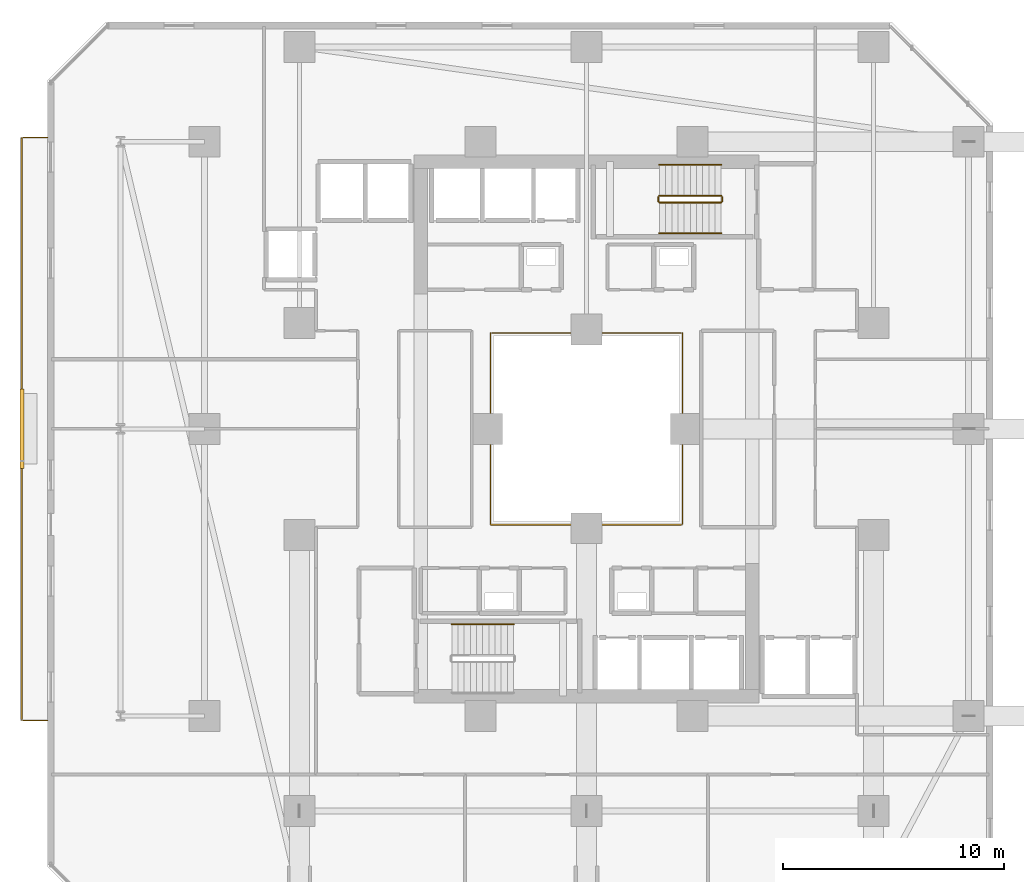
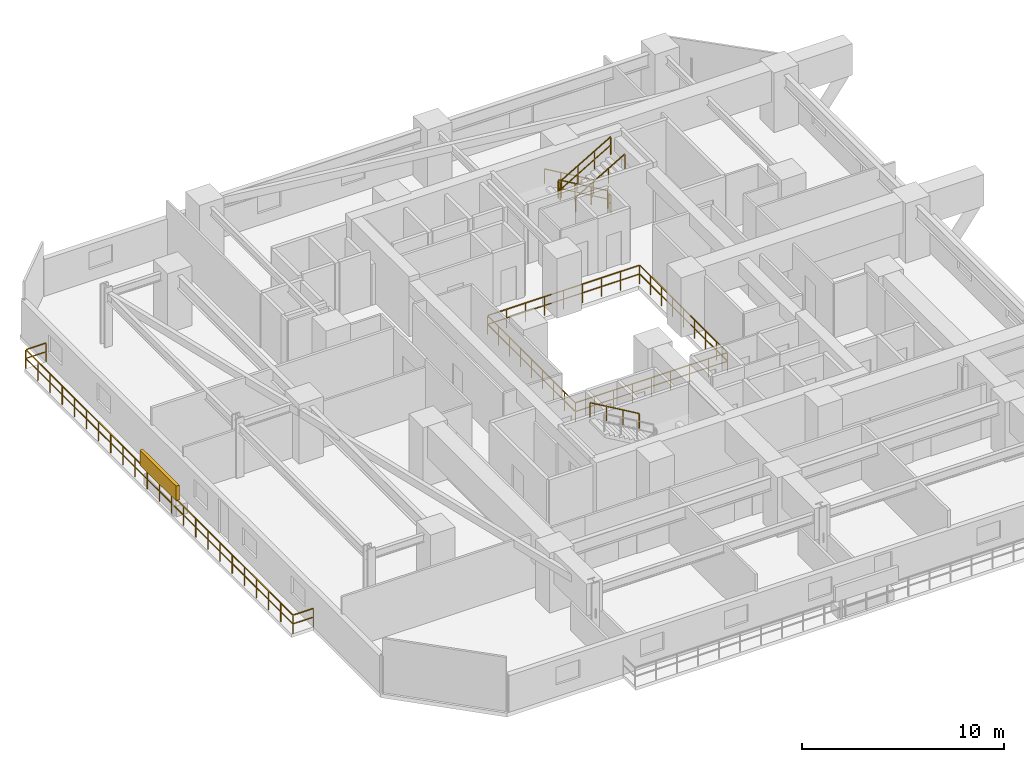
# One storey, part 33 of 36: 9 railings, 1 shading device.
"""IFC4 building model written with IfcOpenShell, lengths in metres."""

from ifc_helpers import new_model, si_unit, direction, frame, origin, origin_2d, place, context, subcontext, project, spatial, rectangle, extrude, material, type_object, element, save


model = new_model("IFC4")

# Units and contexts
model_context = context("Model", 3, precision=1e-05, world=origin(), true_north=direction((0.0, 1.0)))
body_context = subcontext(model_context, "Body", "Model", "MODEL_VIEW")
ifc_project = project(units=[si_unit("LENGTHUNIT", "METRE"), si_unit("AREAUNIT", "SQUARE_METRE"), si_unit("VOLUMEUNIT", "CUBIC_METRE"), si_unit("PLANEANGLEUNIT", "RADIAN"), si_unit("MASSUNIT", "GRAM", prefix="KILO")], contexts=[model_context])

# Site, building, storey
site_placement = place(None, origin())
site = spatial("IfcSite", under=ifc_project, at=site_placement, CompositionType="ELEMENT")
building_placement = place(site_placement, origin())
building = spatial("IfcBuilding", under=site, at=building_placement, Name="Thornwick Lancets Civic Towers", CompositionType="ELEMENT")
storey_placement = place(building_placement, frame((0.0, 0.0, 45.89990234375)))
storey = spatial("IfcBuildingStorey", under=building, at=storey_placement, Name="L11", CompositionType="ELEMENT", Elevation=45.89990234375)

# Railings
ifc_material_1 = material(Name="Laminated glass and bronze steel S355", Category="steel")
railing_type_1 = type_object("IfcRailingType", Name="RAIL_ATRIUM_GUARD", PredefinedType="BALUSTRADE", material=ifc_material_1)
railing_1_placement = place(storey_placement, frame((21.159912109375, 22.659912109375, 0.0)))
element("IfcRailing", 1, at=railing_1_placement, inside=storey, type_object=railing_type_1, Name="L11 Tower A Central Atrium Guard Balustrade", PredefinedType="BALUSTRADE", context=body_context, shape_type="SweptSolid", body=[
    extrude(rectangle(XDim=0.048095703125, YDim=0.048095703125, at=origin_2d()), frame((0.0, 0.0, 1.1259765625), z_axis=(1.0, 0.0, 0.0), x_axis=(0.0, 1.0, 0.0)), (0.0, 0.0, 1.0), 8.64892578125),
    extrude(rectangle(XDim=0.0419921875, YDim=0.0419921875, at=origin_2d()), frame((0.03759765625, 0.0, 0.597900390625), z_axis=(1.0, 0.0, 0.0), x_axis=(0.0, 1.0, 0.0)), (0.0, 0.0, 1.0), 1.010009765625),
    extrude(rectangle(XDim=0.0419921875, YDim=0.0419921875, at=origin_2d()), frame((1.12255859375, 0.0, 0.597900390625), z_axis=(1.0, 0.0, 0.0), x_axis=(0.0, 1.0, 0.0)), (0.0, 0.0, 1.0), 1.010009765625),
    extrude(rectangle(XDim=0.0419921875, YDim=0.0419921875, at=origin_2d()), frame((2.20751953125, 0.0, 0.597900390625), z_axis=(1.0, 0.0, 0.0), x_axis=(0.0, 1.0, 0.0)), (0.0, 0.0, 1.0), 1.010009765625),
    extrude(rectangle(XDim=0.0419921875, YDim=0.0419921875, at=origin_2d()), frame((3.29248046875, 0.0, 0.597900390625), z_axis=(1.0, 0.0, 0.0), x_axis=(0.0, 1.0, 0.0)), (0.0, 0.0, 1.0), 1.010009765625),
    extrude(rectangle(XDim=0.0419921875, YDim=0.0419921875, at=origin_2d()), frame((4.377685546875, 0.0, 0.597900390625), z_axis=(1.0, 0.0, 0.0), x_axis=(0.0, 1.0, 0.0)), (0.0, 0.0, 1.0), 1.010009765625),
    extrude(rectangle(XDim=0.0419921875, YDim=0.0419921875, at=origin_2d()), frame((5.462646484375, 0.0, 0.597900390625), z_axis=(1.0, 0.0, 0.0), x_axis=(0.0, 1.0, 0.0)), (0.0, 0.0, 1.0), 1.010009765625),
    extrude(rectangle(XDim=0.0419921875, YDim=0.0419921875, at=origin_2d()), frame((6.547607421875, 0.0, 0.597900390625), z_axis=(1.0, 0.0, 0.0), x_axis=(0.0, 1.0, 0.0)), (0.0, 0.0, 1.0), 1.010009765625),
    extrude(rectangle(XDim=0.0419921875, YDim=0.0419921875, at=origin_2d()), frame((7.632568359375, 0.0, 0.597900390625), z_axis=(1.0, 0.0, 0.0), x_axis=(0.0, 1.0, 0.0)), (0.0, 0.0, 1.0), 1.010009765625),
    extrude(rectangle(XDim=0.048095703125, YDim=0.048095703125, at=origin_2d()), frame((8.68017578125, 0.03125, 1.1259765625), z_axis=(0.0, 1.0, 0.0), x_axis=(-1.0, 0.0, 0.0)), (0.0, 0.0, 1.0), 8.61767578125),
    extrude(rectangle(XDim=0.0419921875, YDim=0.0419921875, at=origin_2d()), frame((8.68017578125, 0.03759765625, 0.597900390625), z_axis=(0.0, 1.0, 0.0), x_axis=(-1.0, 0.0, 0.0)), (0.0, 0.0, 1.0), 1.010009765625),
    extrude(rectangle(XDim=0.0419921875, YDim=0.0419921875, at=origin_2d()), frame((8.68017578125, 1.12255859375, 0.597900390625), z_axis=(0.0, 1.0, 0.0), x_axis=(-1.0, 0.0, 0.0)), (0.0, 0.0, 1.0), 1.010009765625),
    extrude(rectangle(XDim=0.0419921875, YDim=0.0419921875, at=origin_2d()), frame((8.68017578125, 2.20751953125, 0.597900390625), z_axis=(0.0, 1.0, 0.0), x_axis=(-1.0, 0.0, 0.0)), (0.0, 0.0, 1.0), 1.010009765625),
    extrude(rectangle(XDim=0.0419921875, YDim=0.0419921875, at=origin_2d()), frame((8.68017578125, 3.29248046875, 0.597900390625), z_axis=(0.0, 1.0, 0.0), x_axis=(-1.0, 0.0, 0.0)), (0.0, 0.0, 1.0), 1.010009765625),
    extrude(rectangle(XDim=0.0419921875, YDim=0.0419921875, at=origin_2d()), frame((8.68017578125, 4.377685546875, 0.597900390625), z_axis=(0.0, 1.0, 0.0), x_axis=(-1.0, 0.0, 0.0)), (0.0, 0.0, 1.0), 1.010009765625),
    extrude(rectangle(XDim=0.0419921875, YDim=0.0419921875, at=origin_2d()), frame((8.68017578125, 5.462646484375, 0.597900390625), z_axis=(0.0, 1.0, 0.0), x_axis=(-1.0, 0.0, 0.0)), (0.0, 0.0, 1.0), 1.010009765625),
    extrude(rectangle(XDim=0.0419921875, YDim=0.0419921875, at=origin_2d()), frame((8.68017578125, 6.547607421875, 0.597900390625), z_axis=(0.0, 1.0, 0.0), x_axis=(-1.0, 0.0, 0.0)), (0.0, 0.0, 1.0), 1.010009765625),
    extrude(rectangle(XDim=0.0419921875, YDim=0.0419921875, at=origin_2d()), frame((8.68017578125, 7.632568359375, 0.597900390625), z_axis=(0.0, 1.0, 0.0), x_axis=(-1.0, 0.0, 0.0)), (0.0, 0.0, 1.0), 1.010009765625),
    extrude(rectangle(XDim=0.048095703125, YDim=0.048095703125, at=origin_2d()), frame((8.64892578125, 8.68017578125, 1.1259765625), z_axis=(-1.0, 0.0, 0.0), x_axis=(0.0, -1.0, 0.0)), (0.0, 0.0, 1.0), 8.61767578125),
    extrude(rectangle(XDim=0.0419921875, YDim=0.0419921875, at=origin_2d()), frame((8.642578125, 8.68017578125, 0.597900390625), z_axis=(-1.0, 0.0, 0.0), x_axis=(0.0, -1.0, 0.0)), (0.0, 0.0, 1.0), 1.010009765625),
    extrude(rectangle(XDim=0.0419921875, YDim=0.0419921875, at=origin_2d()), frame((7.5576171875, 8.68017578125, 0.597900390625), z_axis=(-1.0, 0.0, 0.0), x_axis=(0.0, -1.0, 0.0)), (0.0, 0.0, 1.0), 1.010009765625),
    extrude(rectangle(XDim=0.0419921875, YDim=0.0419921875, at=origin_2d()), frame((6.47265625, 8.68017578125, 0.597900390625), z_axis=(-1.0, 0.0, 0.0), x_axis=(0.0, -1.0, 0.0)), (0.0, 0.0, 1.0), 1.010009765625),
    extrude(rectangle(XDim=0.0419921875, YDim=0.0419921875, at=origin_2d()), frame((5.3876953125, 8.68017578125, 0.597900390625), z_axis=(-1.0, 0.0, 0.0), x_axis=(0.0, -1.0, 0.0)), (0.0, 0.0, 1.0), 1.010009765625),
    extrude(rectangle(XDim=0.0419921875, YDim=0.0419921875, at=origin_2d()), frame((4.302490234375, 8.68017578125, 0.597900390625), z_axis=(-1.0, 0.0, 0.0), x_axis=(0.0, -1.0, 0.0)), (0.0, 0.0, 1.0), 1.010009765625),
    extrude(rectangle(XDim=0.0419921875, YDim=0.0419921875, at=origin_2d()), frame((3.217529296875, 8.68017578125, 0.597900390625), z_axis=(-1.0, 0.0, 0.0), x_axis=(0.0, -1.0, 0.0)), (0.0, 0.0, 1.0), 1.010009765625),
    extrude(rectangle(XDim=0.0419921875, YDim=0.0419921875, at=origin_2d()), frame((2.132568359375, 8.68017578125, 0.597900390625), z_axis=(-1.0, 0.0, 0.0), x_axis=(0.0, -1.0, 0.0)), (0.0, 0.0, 1.0), 1.010009765625),
    extrude(rectangle(XDim=0.0419921875, YDim=0.0419921875, at=origin_2d()), frame((1.047607421875, 8.68017578125, 0.597900390625), z_axis=(-1.0, 0.0, 0.0), x_axis=(0.0, -1.0, 0.0)), (0.0, 0.0, 1.0), 1.010009765625),
    extrude(rectangle(XDim=0.048095703125, YDim=0.048095703125, at=origin_2d()), frame((0.0, 8.64892578125, 1.1259765625), z_axis=(0.0, -1.0, 0.0), x_axis=(1.0, 0.0, 0.0)), (0.0, 0.0, 1.0), 8.64892578125),
    extrude(rectangle(XDim=0.0419921875, YDim=0.0419921875, at=origin_2d()), frame((0.0, 8.642578125, 0.597900390625), z_axis=(0.0, -1.0, 0.0), x_axis=(1.0, 0.0, 0.0)), (0.0, 0.0, 1.0), 1.010009765625),
    extrude(rectangle(XDim=0.0419921875, YDim=0.0419921875, at=origin_2d()), frame((0.0, 7.5576171875, 0.597900390625), z_axis=(0.0, -1.0, 0.0), x_axis=(1.0, 0.0, 0.0)), (0.0, 0.0, 1.0), 1.010009765625),
    extrude(rectangle(XDim=0.0419921875, YDim=0.0419921875, at=origin_2d()), frame((0.0, 6.47265625, 0.597900390625), z_axis=(0.0, -1.0, 0.0), x_axis=(1.0, 0.0, 0.0)), (0.0, 0.0, 1.0), 1.010009765625),
    extrude(rectangle(XDim=0.0419921875, YDim=0.0419921875, at=origin_2d()), frame((0.0, 5.3876953125, 0.597900390625), z_axis=(0.0, -1.0, 0.0), x_axis=(1.0, 0.0, 0.0)), (0.0, 0.0, 1.0), 1.010009765625),
    extrude(rectangle(XDim=0.0419921875, YDim=0.0419921875, at=origin_2d()), frame((0.0, 4.302490234375, 0.597900390625), z_axis=(0.0, -1.0, 0.0), x_axis=(1.0, 0.0, 0.0)), (0.0, 0.0, 1.0), 1.010009765625),
    extrude(rectangle(XDim=0.0419921875, YDim=0.0419921875, at=origin_2d()), frame((0.0, 3.217529296875, 0.597900390625), z_axis=(0.0, -1.0, 0.0), x_axis=(1.0, 0.0, 0.0)), (0.0, 0.0, 1.0), 1.010009765625),
    extrude(rectangle(XDim=0.0419921875, YDim=0.0419921875, at=origin_2d()), frame((0.0, 2.132568359375, 0.597900390625), z_axis=(0.0, -1.0, 0.0), x_axis=(1.0, 0.0, 0.0)), (0.0, 0.0, 1.0), 1.010009765625),
    extrude(rectangle(XDim=0.0419921875, YDim=0.0419921875, at=origin_2d()), frame((0.0, 1.047607421875, 0.597900390625), z_axis=(0.0, -1.0, 0.0), x_axis=(1.0, 0.0, 0.0)), (0.0, 0.0, 1.0), 1.010009765625),
    extrude(rectangle(XDim=0.0419921875, YDim=0.0419921875, at=origin_2d()), origin(), (0.0, 0.0, 1.0), 1.095703125),
    extrude(rectangle(XDim=0.0419921875, YDim=0.0419921875, at=origin_2d()), frame((1.0849609375, 0.0, 0.0)), (0.0, 0.0, 1.0), 1.095703125),
    extrude(rectangle(XDim=0.0419921875, YDim=0.0419921875, at=origin_2d()), frame((2.169921875, 0.0, 0.0)), (0.0, 0.0, 1.0), 1.095703125),
    extrude(rectangle(XDim=0.0419921875, YDim=0.0419921875, at=origin_2d()), frame((3.255126953125, 0.0, 0.0)), (0.0, 0.0, 1.0), 1.095703125),
    extrude(rectangle(XDim=0.0419921875, YDim=0.0419921875, at=origin_2d()), frame((4.340087890625, 0.0, 0.0)), (0.0, 0.0, 1.0), 1.095703125),
    extrude(rectangle(XDim=0.0419921875, YDim=0.0419921875, at=origin_2d()), frame((5.425048828125, 0.0, 0.0)), (0.0, 0.0, 1.0), 1.095703125),
    extrude(rectangle(XDim=0.0419921875, YDim=0.0419921875, at=origin_2d()), frame((6.51025390625, 0.0, 0.0)), (0.0, 0.0, 1.0), 1.095703125),
    extrude(rectangle(XDim=0.0419921875, YDim=0.0419921875, at=origin_2d()), frame((7.59521484375, 0.0, 0.0)), (0.0, 0.0, 1.0), 1.095703125),
    extrude(rectangle(XDim=0.0419921875, YDim=0.0419921875, at=origin_2d()), frame((8.68017578125, 0.0, 0.0)), (0.0, 0.0, 1.0), 1.095703125),
    extrude(rectangle(XDim=0.0419921875, YDim=0.0419921875, at=origin_2d()), frame((8.68017578125, 1.0849609375, 0.0)), (0.0, 0.0, 1.0), 1.095703125),
    extrude(rectangle(XDim=0.0419921875, YDim=0.0419921875, at=origin_2d()), frame((8.68017578125, 2.169921875, 0.0)), (0.0, 0.0, 1.0), 1.095703125),
    extrude(rectangle(XDim=0.0419921875, YDim=0.0419921875, at=origin_2d()), frame((8.68017578125, 3.255126953125, 0.0)), (0.0, 0.0, 1.0), 1.095703125),
    extrude(rectangle(XDim=0.0419921875, YDim=0.0419921875, at=origin_2d()), frame((8.68017578125, 4.340087890625, 0.0)), (0.0, 0.0, 1.0), 1.095703125),
    extrude(rectangle(XDim=0.0419921875, YDim=0.0419921875, at=origin_2d()), frame((8.68017578125, 5.425048828125, 0.0)), (0.0, 0.0, 1.0), 1.095703125),
    extrude(rectangle(XDim=0.0419921875, YDim=0.0419921875, at=origin_2d()), frame((8.68017578125, 6.51025390625, 0.0)), (0.0, 0.0, 1.0), 1.095703125),
    extrude(rectangle(XDim=0.0419921875, YDim=0.0419921875, at=origin_2d()), frame((8.68017578125, 7.59521484375, 0.0)), (0.0, 0.0, 1.0), 1.095703125),
    extrude(rectangle(XDim=0.0419921875, YDim=0.0419921875, at=origin_2d()), frame((8.68017578125, 8.68017578125, 0.0)), (0.0, 0.0, 1.0), 1.095703125),
    extrude(rectangle(XDim=0.0419921875, YDim=0.0419921875, at=origin_2d()), frame((7.59521484375, 8.68017578125, 0.0)), (0.0, 0.0, 1.0), 1.095703125),
    extrude(rectangle(XDim=0.0419921875, YDim=0.0419921875, at=origin_2d()), frame((6.51025390625, 8.68017578125, 0.0)), (0.0, 0.0, 1.0), 1.095703125),
    extrude(rectangle(XDim=0.0419921875, YDim=0.0419921875, at=origin_2d()), frame((5.425048828125, 8.68017578125, 0.0)), (0.0, 0.0, 1.0), 1.095703125),
    extrude(rectangle(XDim=0.0419921875, YDim=0.0419921875, at=origin_2d()), frame((4.340087890625, 8.68017578125, 0.0)), (0.0, 0.0, 1.0), 1.095703125),
    extrude(rectangle(XDim=0.0419921875, YDim=0.0419921875, at=origin_2d()), frame((3.255126953125, 8.68017578125, 0.0)), (0.0, 0.0, 1.0), 1.095703125),
    extrude(rectangle(XDim=0.0419921875, YDim=0.0419921875, at=origin_2d()), frame((2.169921875, 8.68017578125, 0.0)), (0.0, 0.0, 1.0), 1.095703125),
    extrude(rectangle(XDim=0.0419921875, YDim=0.0419921875, at=origin_2d()), frame((1.0849609375, 8.68017578125, 0.0)), (0.0, 0.0, 1.0), 1.095703125),
    extrude(rectangle(XDim=0.0419921875, YDim=0.0419921875, at=origin_2d()), frame((0.0, 8.68017578125, 0.0)), (0.0, 0.0, 1.0), 1.095703125),
    extrude(rectangle(XDim=0.0419921875, YDim=0.0419921875, at=origin_2d()), frame((0.0, 7.59521484375, 0.0)), (0.0, 0.0, 1.0), 1.095703125),
    extrude(rectangle(XDim=0.0419921875, YDim=0.0419921875, at=origin_2d()), frame((0.0, 6.51025390625, 0.0)), (0.0, 0.0, 1.0), 1.095703125),
    extrude(rectangle(XDim=0.0419921875, YDim=0.0419921875, at=origin_2d()), frame((0.0, 5.425048828125, 0.0)), (0.0, 0.0, 1.0), 1.095703125),
    extrude(rectangle(XDim=0.0419921875, YDim=0.0419921875, at=origin_2d()), frame((0.0, 4.340087890625, 0.0)), (0.0, 0.0, 1.0), 1.095703125),
    extrude(rectangle(XDim=0.0419921875, YDim=0.0419921875, at=origin_2d()), frame((0.0, 3.255126953125, 0.0)), (0.0, 0.0, 1.0), 1.095703125),
    extrude(rectangle(XDim=0.0419921875, YDim=0.0419921875, at=origin_2d()), frame((0.0, 2.169921875, 0.0)), (0.0, 0.0, 1.0), 1.095703125),
    extrude(rectangle(XDim=0.0419921875, YDim=0.0419921875, at=origin_2d()), frame((0.0, 1.0849609375, 0.0)), (0.0, 0.0, 1.0), 1.095703125),
])
ifc_material_2 = material(Name="Brushed stainless steel S355", Category="steel")
railing_type_2 = type_object("IfcRailingType", Name="RAIL_HANDRAIL", PredefinedType="HANDRAIL", material=ifc_material_2)
railing_2_placement = place(storey_placement, frame((22.199951171875, 18.14990234375, 1.963623046875)))
element("IfcRailing", 2, at=railing_2_placement, inside=storey, type_object=railing_type_2, Name="L11 ST-A1 stair handrail 2", PredefinedType="HANDRAIL", context=body_context, shape_type="SweptSolid", body=[
    extrude(rectangle(XDim=0.048095703125, YDim=0.048095703125, at=origin_2d()), frame((0.0, 0.0, 0.8857421875), z_axis=(-0.863360870873, 0.0, 0.504586966384), x_axis=(0.0, -1.0, 0.0)), (0.0, 0.0, 1.0), 3.2431640625),
    extrude(rectangle(XDim=0.0419921875, YDim=0.0419921875, at=origin_2d()), origin(), (0.0, 0.0, 1.0), 0.855712890625),
    extrude(rectangle(XDim=0.0419921875, YDim=0.0419921875, at=origin_2d()), frame((-0.933349609375, 0.0, 0.54541015625)), (0.0, 0.0, 1.0), 0.855712890625),
    extrude(rectangle(XDim=0.0419921875, YDim=0.0419921875, at=origin_2d()), frame((-1.86669921875, 0.0, 1.091064453125)), (0.0, 0.0, 1.0), 0.855712890625),
    extrude(rectangle(XDim=0.0419921875, YDim=0.0419921875, at=origin_2d()), frame((-2.800048828125, 0.0, 1.636474609375)), (0.0, 0.0, 1.0), 0.855712890625),
])
railing_3_placement = place(storey_placement, frame((31.60009765625, 38.949951171875, 0.163818359375)))
element("IfcRailing", 3, at=railing_3_placement, inside=storey, type_object=railing_type_2, Name="L11 ST-A2 stair handrail 1", PredefinedType="HANDRAIL", context=body_context, shape_type="SweptSolid", body=[
    extrude(rectangle(XDim=0.048095703125, YDim=0.048095703125, at=origin_2d()), frame((0.0, 0.0, 0.8857421875), z_axis=(-0.863393664356, 0.0, 0.504530851732), x_axis=(0.0, -1.0, 0.0)), (0.0, 0.0, 1.0), 3.2431640625),
    extrude(rectangle(XDim=0.0419921875, YDim=0.0419921875, at=origin_2d()), origin(), (0.0, 0.0, 1.0), 0.855712890625),
    extrude(rectangle(XDim=0.0419921875, YDim=0.0419921875, at=origin_2d()), frame((-0.933349609375, 0.0, 0.54541015625)), (0.0, 0.0, 1.0), 0.855712890625),
    extrude(rectangle(XDim=0.0419921875, YDim=0.0419921875, at=origin_2d()), frame((-1.86669921875, 0.0, 1.0908203125)), (0.0, 0.0, 1.0), 0.855712890625),
    extrude(rectangle(XDim=0.0419921875, YDim=0.0419921875, at=origin_2d()), frame((-2.800048828125, 0.0, 1.63623046875)), (0.0, 0.0, 1.0), 0.855712890625),
])
railing_4_placement = place(storey_placement, frame((28.800048828125, 35.85009765625, 1.963623046875)))
element("IfcRailing", 4, at=railing_4_placement, inside=storey, type_object=railing_type_2, Name="L11 ST-A2 stair handrail 2", PredefinedType="HANDRAIL", context=body_context, shape_type="SweptSolid", body=[
    extrude(rectangle(XDim=0.048095703125, YDim=0.048095703125, at=origin_2d()), frame((0.0, 0.0, 0.8857421875), z_axis=(0.863360870873, 0.0, 0.504586966384), x_axis=(0.0, 1.0, 0.0)), (0.0, 0.0, 1.0), 3.2431640625),
    extrude(rectangle(XDim=0.0419921875, YDim=0.0419921875, at=origin_2d()), origin(), (0.0, 0.0, 1.0), 0.855712890625),
    extrude(rectangle(XDim=0.0419921875, YDim=0.0419921875, at=origin_2d()), frame((0.933349609375, 0.0, 0.54541015625)), (0.0, 0.0, 1.0), 0.855712890625),
    extrude(rectangle(XDim=0.0419921875, YDim=0.0419921875, at=origin_2d()), frame((1.86669921875, 0.0, 1.091064453125)), (0.0, 0.0, 1.0), 0.855712890625),
    extrude(rectangle(XDim=0.0419921875, YDim=0.0419921875, at=origin_2d()), frame((2.800048828125, 0.0, 1.636474609375)), (0.0, 0.0, 1.0), 0.855712890625),
])
ifc_material_3 = material(Name="Steel S355JR", Category="steel")
railing_type_3 = type_object("IfcRailingType", Name="RAIL_STAIR_GUARD", PredefinedType="GUARDRAIL", material=ifc_material_3)
railing_5_placement = place(storey_placement, frame((31.60009765625, 37.550048828125, 0.163818359375)))
element("IfcRailing", 5, at=railing_5_placement, inside=storey, type_object=railing_type_3, Name="L11 ST-A2 stair guard 1", PredefinedType="GUARDRAIL", context=body_context, shape_type="SweptSolid", body=[
    extrude(rectangle(XDim=0.048095703125, YDim=0.048095703125, at=origin_2d()), frame((0.0, 0.0, 1.076171875), z_axis=(-0.863393664356, 0.0, 0.504530851732), x_axis=(0.0, -1.0, 0.0)), (0.0, 0.0, 1.0), 3.2431640625),
    extrude(rectangle(XDim=0.0419921875, YDim=0.0419921875, at=origin_2d()), frame((-0.032470703125, 0.0, 0.591064453125), z_axis=(-0.863393664356, 0.0, 0.504530851732), x_axis=(0.0, -1.0, 0.0)), (0.0, 0.0, 1.0), 1.006103515625),
    extrude(rectangle(XDim=0.0419921875, YDim=0.0419921875, at=origin_2d()), frame((-0.9658203125, 0.0, 1.136474609375), z_axis=(-0.863393664356, 0.0, 0.504530851732), x_axis=(0.0, -1.0, 0.0)), (0.0, 0.0, 1.0), 1.006103515625),
    extrude(rectangle(XDim=0.0419921875, YDim=0.0419921875, at=origin_2d()), frame((-1.899169921875, 0.0, 1.681884765625), z_axis=(-0.863393664356, 0.0, 0.504530851732), x_axis=(0.0, -1.0, 0.0)), (0.0, 0.0, 1.0), 1.006103515625),
    extrude(rectangle(XDim=0.0419921875, YDim=0.0419921875, at=origin_2d()), origin(), (0.0, 0.0, 1.0), 1.0458984375),
    extrude(rectangle(XDim=0.0419921875, YDim=0.0419921875, at=origin_2d()), frame((-0.933349609375, 0.0, 0.54541015625)), (0.0, 0.0, 1.0), 1.0458984375),
    extrude(rectangle(XDim=0.0419921875, YDim=0.0419921875, at=origin_2d()), frame((-1.86669921875, 0.0, 1.0908203125)), (0.0, 0.0, 1.0), 1.0458984375),
    extrude(rectangle(XDim=0.0419921875, YDim=0.0419921875, at=origin_2d()), frame((-2.800048828125, 0.0, 1.63623046875)), (0.0, 0.0, 1.0), 1.0458984375),
])
railing_6_placement = place(storey_placement, frame((28.75, 37.5, 1.800048828125)))
element("IfcRailing", 6, at=railing_6_placement, inside=storey, type_object=railing_type_3, Name="L11 ST-A2 stair guard 2", PredefinedType="GUARDRAIL", context=body_context, shape_type="SweptSolid", body=[
    extrude(rectangle(XDim=0.048095703125, YDim=0.048095703125, at=origin_2d()), frame((0.0, 0.0, 1.076171875), z_axis=(0.0, -1.0, 0.0), x_axis=(1.0, 0.0, 0.0)), (0.0, 0.0, 1.0), 0.199951171875),
    extrude(rectangle(XDim=0.0419921875, YDim=0.0419921875, at=origin_2d()), frame((0.0, -0.03759765625, 0.572021484375), z_axis=(0.0, -1.0, 0.0), x_axis=(1.0, 0.0, 0.0)), (0.0, 0.0, 1.0), 0.125),
    extrude(rectangle(XDim=0.0419921875, YDim=0.0419921875, at=origin_2d()), origin(), (0.0, 0.0, 1.0), 1.0458984375),
    extrude(rectangle(XDim=0.0419921875, YDim=0.0419921875, at=origin_2d()), frame((0.0, -0.199951171875, 0.0)), (0.0, 0.0, 1.0), 1.0458984375),
])
railing_7_placement = place(storey_placement, frame((28.800048828125, 37.25, 1.963623046875)))
element("IfcRailing", 7, at=railing_7_placement, inside=storey, type_object=railing_type_3, Name="L11 ST-A2 stair guard 3", PredefinedType="GUARDRAIL", context=body_context, shape_type="SweptSolid", body=[
    extrude(rectangle(XDim=0.048095703125, YDim=0.048095703125, at=origin_2d()), frame((0.0, 0.0, 1.076171875), z_axis=(0.863360870873, 0.0, 0.504586966384), x_axis=(0.0, 1.0, 0.0)), (0.0, 0.0, 1.0), 3.2431640625),
    extrude(rectangle(XDim=0.0419921875, YDim=0.0419921875, at=origin_2d()), frame((0.032470703125, 0.0, 0.591064453125), z_axis=(0.863360870873, 0.0, 0.504586966384), x_axis=(0.0, 1.0, 0.0)), (0.0, 0.0, 1.0), 1.006103515625),
    extrude(rectangle(XDim=0.0419921875, YDim=0.0419921875, at=origin_2d()), frame((0.9658203125, 0.0, 1.136474609375), z_axis=(0.863360870873, 0.0, 0.504586966384), x_axis=(0.0, 1.0, 0.0)), (0.0, 0.0, 1.0), 1.006103515625),
    extrude(rectangle(XDim=0.0419921875, YDim=0.0419921875, at=origin_2d()), frame((1.899169921875, 0.0, 1.681884765625), z_axis=(0.863360870873, 0.0, 0.504586966384), x_axis=(0.0, 1.0, 0.0)), (0.0, 0.0, 1.0), 1.006103515625),
    extrude(rectangle(XDim=0.0419921875, YDim=0.0419921875, at=origin_2d()), origin(), (0.0, 0.0, 1.0), 1.0458984375),
    extrude(rectangle(XDim=0.0419921875, YDim=0.0419921875, at=origin_2d()), frame((0.933349609375, 0.0, 0.54541015625)), (0.0, 0.0, 1.0), 1.0458984375),
    extrude(rectangle(XDim=0.0419921875, YDim=0.0419921875, at=origin_2d()), frame((1.86669921875, 0.0, 1.091064453125)), (0.0, 0.0, 1.0), 1.0458984375),
    extrude(rectangle(XDim=0.0419921875, YDim=0.0419921875, at=origin_2d()), frame((2.800048828125, 0.0, 1.636474609375)), (0.0, 0.0, 1.0), 1.0458984375),
])
railing_8_placement = place(storey_placement, frame((31.64990234375, 37.5, 0.0)))
element("IfcRailing", 8, at=railing_8_placement, inside=storey, type_object=railing_type_3, Name="L11 ST-A2 stair guard 4", PredefinedType="GUARDRAIL", context=body_context, shape_type="SweptSolid", body=[
    extrude(rectangle(XDim=0.048095703125, YDim=0.048095703125, at=origin_2d()), frame((0.0, 0.0, 1.076171875), z_axis=(0.0, -1.0, 0.0), x_axis=(1.0, 0.0, 0.0)), (0.0, 0.0, 1.0), 0.199951171875),
    extrude(rectangle(XDim=0.0419921875, YDim=0.0419921875, at=origin_2d()), frame((0.0, -0.03759765625, 0.572021484375), z_axis=(0.0, -1.0, 0.0), x_axis=(1.0, 0.0, 0.0)), (0.0, 0.0, 1.0), 0.125),
    extrude(rectangle(XDim=0.0419921875, YDim=0.0419921875, at=origin_2d()), origin(), (0.0, 0.0, 1.0), 1.0458984375),
    extrude(rectangle(XDim=0.0419921875, YDim=0.0419921875, at=origin_2d()), frame((0.0, -0.199951171875, 0.0)), (0.0, 0.0, 1.0), 1.0458984375),
])
ifc_material_4 = material(Name="Terracotta-capped laminated glass balustrade S355", Category="masonry")
railing_type_4 = type_object("IfcRailingType", Name="RAIL_TERR_GUARD", PredefinedType="GUARDRAIL", material=ifc_material_4)
railing_9_placement = place(storey_placement, frame((1.10009765625, 13.800048828125, 0.0)))
element("IfcRailing", 9, at=railing_9_placement, inside=storey, type_object=railing_type_4, Name="L11 Tower A Balcony Guard W", PredefinedType="GUARDRAIL", context=body_context, shape_type="SweptSolid", body=[
    extrude(rectangle(XDim=0.048095703125, YDim=0.048095703125, at=origin_2d()), frame((0.0, 0.0, 1.1259765625), z_axis=(-1.0, 0.0, 0.0), x_axis=(0.0, -1.0, 0.0)), (0.0, 0.0, 1.0), 1.138916015625),
    extrude(rectangle(XDim=0.0419921875, YDim=0.0419921875, at=origin_2d()), frame((-0.03759765625, 0.0, 0.597900390625), z_axis=(-1.0, 0.0, 0.0), x_axis=(0.0, -1.0, 0.0)), (0.0, 0.0, 1.0), 1.09521484375),
    extrude(rectangle(XDim=0.048095703125, YDim=0.048095703125, at=origin_2d()), frame((-1.170166015625, 0.03125, 1.1259765625), z_axis=(0.0, 1.0, 0.0), x_axis=(-1.0, 0.0, 0.0)), (0.0, 0.0, 1.0), 26.33740234375),
    extrude(rectangle(XDim=0.0419921875, YDim=0.0419921875, at=origin_2d()), frame((-1.170166015625, 0.03759765625, 0.597900390625), z_axis=(0.0, 1.0, 0.0), x_axis=(-1.0, 0.0, 0.0)), (0.0, 0.0, 1.0), 1.125),
    extrude(rectangle(XDim=0.0419921875, YDim=0.0419921875, at=origin_2d()), frame((-1.170166015625, 1.237548828125, 0.597900390625), z_axis=(0.0, 1.0, 0.0), x_axis=(-1.0, 0.0, 0.0)), (0.0, 0.0, 1.0), 1.125),
    extrude(rectangle(XDim=0.0419921875, YDim=0.0419921875, at=origin_2d()), frame((-1.170166015625, 2.4375, 0.597900390625), z_axis=(0.0, 1.0, 0.0), x_axis=(-1.0, 0.0, 0.0)), (0.0, 0.0, 1.0), 1.125),
    extrude(rectangle(XDim=0.0419921875, YDim=0.0419921875, at=origin_2d()), frame((-1.170166015625, 3.637451171875, 0.597900390625), z_axis=(0.0, 1.0, 0.0), x_axis=(-1.0, 0.0, 0.0)), (0.0, 0.0, 1.0), 1.125),
    extrude(rectangle(XDim=0.0419921875, YDim=0.0419921875, at=origin_2d()), frame((-1.170166015625, 4.83740234375, 0.597900390625), z_axis=(0.0, 1.0, 0.0), x_axis=(-1.0, 0.0, 0.0)), (0.0, 0.0, 1.0), 1.125),
    extrude(rectangle(XDim=0.0419921875, YDim=0.0419921875, at=origin_2d()), frame((-1.170166015625, 6.037353515625, 0.597900390625), z_axis=(0.0, 1.0, 0.0), x_axis=(-1.0, 0.0, 0.0)), (0.0, 0.0, 1.0), 1.125),
    extrude(rectangle(XDim=0.0419921875, YDim=0.0419921875, at=origin_2d()), frame((-1.170166015625, 7.237548828125, 0.597900390625), z_axis=(0.0, 1.0, 0.0), x_axis=(-1.0, 0.0, 0.0)), (0.0, 0.0, 1.0), 1.125),
    extrude(rectangle(XDim=0.0419921875, YDim=0.0419921875, at=origin_2d()), frame((-1.170166015625, 8.4375, 0.597900390625), z_axis=(0.0, 1.0, 0.0), x_axis=(-1.0, 0.0, 0.0)), (0.0, 0.0, 1.0), 1.125),
    extrude(rectangle(XDim=0.0419921875, YDim=0.0419921875, at=origin_2d()), frame((-1.170166015625, 9.637451171875, 0.597900390625), z_axis=(0.0, 1.0, 0.0), x_axis=(-1.0, 0.0, 0.0)), (0.0, 0.0, 1.0), 1.125),
    extrude(rectangle(XDim=0.0419921875, YDim=0.0419921875, at=origin_2d()), frame((-1.170166015625, 10.83740234375, 0.597900390625), z_axis=(0.0, 1.0, 0.0), x_axis=(-1.0, 0.0, 0.0)), (0.0, 0.0, 1.0), 1.125),
    extrude(rectangle(XDim=0.0419921875, YDim=0.0419921875, at=origin_2d()), frame((-1.170166015625, 12.037353515625, 0.597900390625), z_axis=(0.0, 1.0, 0.0), x_axis=(-1.0, 0.0, 0.0)), (0.0, 0.0, 1.0), 1.125),
    extrude(rectangle(XDim=0.0419921875, YDim=0.0419921875, at=origin_2d()), frame((-1.170166015625, 13.237548828125, 0.597900390625), z_axis=(0.0, 1.0, 0.0), x_axis=(-1.0, 0.0, 0.0)), (0.0, 0.0, 1.0), 1.125),
    extrude(rectangle(XDim=0.0419921875, YDim=0.0419921875, at=origin_2d()), frame((-1.170166015625, 14.4375, 0.597900390625), z_axis=(0.0, 1.0, 0.0), x_axis=(-1.0, 0.0, 0.0)), (0.0, 0.0, 1.0), 1.125),
    extrude(rectangle(XDim=0.0419921875, YDim=0.0419921875, at=origin_2d()), frame((-1.170166015625, 15.637451171875, 0.597900390625), z_axis=(0.0, 1.0, 0.0), x_axis=(-1.0, 0.0, 0.0)), (0.0, 0.0, 1.0), 1.125),
    extrude(rectangle(XDim=0.0419921875, YDim=0.0419921875, at=origin_2d()), frame((-1.170166015625, 16.83740234375, 0.597900390625), z_axis=(0.0, 1.0, 0.0), x_axis=(-1.0, 0.0, 0.0)), (0.0, 0.0, 1.0), 1.125),
    extrude(rectangle(XDim=0.0419921875, YDim=0.0419921875, at=origin_2d()), frame((-1.170166015625, 18.037353515625, 0.597900390625), z_axis=(0.0, 1.0, 0.0), x_axis=(-1.0, 0.0, 0.0)), (0.0, 0.0, 1.0), 1.125),
    extrude(rectangle(XDim=0.0419921875, YDim=0.0419921875, at=origin_2d()), frame((-1.170166015625, 19.2373046875, 0.597900390625), z_axis=(0.0, 1.0, 0.0), x_axis=(-1.0, 0.0, 0.0)), (0.0, 0.0, 1.0), 1.125),
    extrude(rectangle(XDim=0.0419921875, YDim=0.0419921875, at=origin_2d()), frame((-1.170166015625, 20.4375, 0.597900390625), z_axis=(0.0, 1.0, 0.0), x_axis=(-1.0, 0.0, 0.0)), (0.0, 0.0, 1.0), 1.125),
    extrude(rectangle(XDim=0.0419921875, YDim=0.0419921875, at=origin_2d()), frame((-1.170166015625, 21.637451171875, 0.597900390625), z_axis=(0.0, 1.0, 0.0), x_axis=(-1.0, 0.0, 0.0)), (0.0, 0.0, 1.0), 1.125),
    extrude(rectangle(XDim=0.0419921875, YDim=0.0419921875, at=origin_2d()), frame((-1.170166015625, 22.83740234375, 0.597900390625), z_axis=(0.0, 1.0, 0.0), x_axis=(-1.0, 0.0, 0.0)), (0.0, 0.0, 1.0), 1.125),
    extrude(rectangle(XDim=0.0419921875, YDim=0.0419921875, at=origin_2d()), frame((-1.170166015625, 24.037353515625, 0.597900390625), z_axis=(0.0, 1.0, 0.0), x_axis=(-1.0, 0.0, 0.0)), (0.0, 0.0, 1.0), 1.125),
    extrude(rectangle(XDim=0.0419921875, YDim=0.0419921875, at=origin_2d()), frame((-1.170166015625, 25.2373046875, 0.597900390625), z_axis=(0.0, 1.0, 0.0), x_axis=(-1.0, 0.0, 0.0)), (0.0, 0.0, 1.0), 1.125),
    extrude(rectangle(XDim=0.048095703125, YDim=0.048095703125, at=origin_2d()), frame((-1.138916015625, 26.39990234375, 1.1259765625), z_axis=(1.0, 0.0, 0.0), x_axis=(0.0, 1.0, 0.0)), (0.0, 0.0, 1.0), 1.138916015625),
    extrude(rectangle(XDim=0.0419921875, YDim=0.0419921875, at=origin_2d()), frame((-1.132568359375, 26.39990234375, 0.597900390625), z_axis=(1.0, 0.0, 0.0), x_axis=(0.0, 1.0, 0.0)), (0.0, 0.0, 1.0), 1.09521484375),
    extrude(rectangle(XDim=0.0419921875, YDim=0.0419921875, at=origin_2d()), origin(), (0.0, 0.0, 1.0), 1.095703125),
    extrude(rectangle(XDim=0.0419921875, YDim=0.0419921875, at=origin_2d()), frame((-1.170166015625, 0.0, 0.0)), (0.0, 0.0, 1.0), 1.095703125),
    extrude(rectangle(XDim=0.0419921875, YDim=0.0419921875, at=origin_2d()), frame((-1.170166015625, 1.199951171875, 0.0)), (0.0, 0.0, 1.0), 1.095703125),
    extrude(rectangle(XDim=0.0419921875, YDim=0.0419921875, at=origin_2d()), frame((-1.170166015625, 2.39990234375, 0.0)), (0.0, 0.0, 1.0), 1.095703125),
    extrude(rectangle(XDim=0.0419921875, YDim=0.0419921875, at=origin_2d()), frame((-1.170166015625, 3.60009765625, 0.0)), (0.0, 0.0, 1.0), 1.095703125),
    extrude(rectangle(XDim=0.0419921875, YDim=0.0419921875, at=origin_2d()), frame((-1.170166015625, 4.800048828125, 0.0)), (0.0, 0.0, 1.0), 1.095703125),
    extrude(rectangle(XDim=0.0419921875, YDim=0.0419921875, at=origin_2d()), frame((-1.170166015625, 6.0, 0.0)), (0.0, 0.0, 1.0), 1.095703125),
    extrude(rectangle(XDim=0.0419921875, YDim=0.0419921875, at=origin_2d()), frame((-1.170166015625, 7.199951171875, 0.0)), (0.0, 0.0, 1.0), 1.095703125),
    extrude(rectangle(XDim=0.0419921875, YDim=0.0419921875, at=origin_2d()), frame((-1.170166015625, 8.39990234375, 0.0)), (0.0, 0.0, 1.0), 1.095703125),
    extrude(rectangle(XDim=0.0419921875, YDim=0.0419921875, at=origin_2d()), frame((-1.170166015625, 9.599853515625, 0.0)), (0.0, 0.0, 1.0), 1.095703125),
    extrude(rectangle(XDim=0.0419921875, YDim=0.0419921875, at=origin_2d()), frame((-1.170166015625, 10.800048828125, 0.0)), (0.0, 0.0, 1.0), 1.095703125),
    extrude(rectangle(XDim=0.0419921875, YDim=0.0419921875, at=origin_2d()), frame((-1.170166015625, 12.0, 0.0)), (0.0, 0.0, 1.0), 1.095703125),
    extrude(rectangle(XDim=0.0419921875, YDim=0.0419921875, at=origin_2d()), frame((-1.170166015625, 13.199951171875, 0.0)), (0.0, 0.0, 1.0), 1.095703125),
    extrude(rectangle(XDim=0.0419921875, YDim=0.0419921875, at=origin_2d()), frame((-1.170166015625, 14.39990234375, 0.0)), (0.0, 0.0, 1.0), 1.095703125),
    extrude(rectangle(XDim=0.0419921875, YDim=0.0419921875, at=origin_2d()), frame((-1.170166015625, 15.599853515625, 0.0)), (0.0, 0.0, 1.0), 1.095703125),
    extrude(rectangle(XDim=0.0419921875, YDim=0.0419921875, at=origin_2d()), frame((-1.170166015625, 16.800048828125, 0.0)), (0.0, 0.0, 1.0), 1.095703125),
    extrude(rectangle(XDim=0.0419921875, YDim=0.0419921875, at=origin_2d()), frame((-1.170166015625, 18.0, 0.0)), (0.0, 0.0, 1.0), 1.095703125),
    extrude(rectangle(XDim=0.0419921875, YDim=0.0419921875, at=origin_2d()), frame((-1.170166015625, 19.199951171875, 0.0)), (0.0, 0.0, 1.0), 1.095703125),
    extrude(rectangle(XDim=0.0419921875, YDim=0.0419921875, at=origin_2d()), frame((-1.170166015625, 20.39990234375, 0.0)), (0.0, 0.0, 1.0), 1.095703125),
    extrude(rectangle(XDim=0.0419921875, YDim=0.0419921875, at=origin_2d()), frame((-1.170166015625, 21.599853515625, 0.0)), (0.0, 0.0, 1.0), 1.095703125),
    extrude(rectangle(XDim=0.0419921875, YDim=0.0419921875, at=origin_2d()), frame((-1.170166015625, 22.7998046875, 0.0)), (0.0, 0.0, 1.0), 1.095703125),
    extrude(rectangle(XDim=0.0419921875, YDim=0.0419921875, at=origin_2d()), frame((-1.170166015625, 24.0, 0.0)), (0.0, 0.0, 1.0), 1.095703125),
    extrude(rectangle(XDim=0.0419921875, YDim=0.0419921875, at=origin_2d()), frame((-1.170166015625, 25.199951171875, 0.0)), (0.0, 0.0, 1.0), 1.095703125),
    extrude(rectangle(XDim=0.0419921875, YDim=0.0419921875, at=origin_2d()), frame((-1.170166015625, 26.39990234375, 0.0)), (0.0, 0.0, 1.0), 1.095703125),
    extrude(rectangle(XDim=0.0419921875, YDim=0.0419921875, at=origin_2d()), frame((0.0, 26.39990234375, 0.0)), (0.0, 0.0, 1.0), 1.095703125),
])

# Shading device
ifc_material_5 = material(Name="Extruded terracotta baguette solar screen", Category="masonry")
shading_device_type = type_object("IfcShadingDeviceType", Name="SHADE_BAGUETTE", PredefinedType="JALOUSIE", material=ifc_material_5)
shading_device_placement = place(storey_placement, frame((-0.06005859375, 27.0, 1.1201171875), z_axis=(0.0, 0.0, 1.0), x_axis=(0.0, 1.0, 0.0)))
element("IfcShadingDevice", 10, at=shading_device_placement, inside=storey, type_object=shading_device_type, Name="L11 Tower A Terracotta Baguette Screen W", PredefinedType="JALOUSIE", context=body_context, shape_type="SweptSolid", body=[
    extrude(rectangle(XDim=3.60009765625, YDim=0.179931640625, at=origin_2d()), origin(), (0.0, 0.0, 1.0), 0.89990234375),
])

save(model, "model.ifc")
